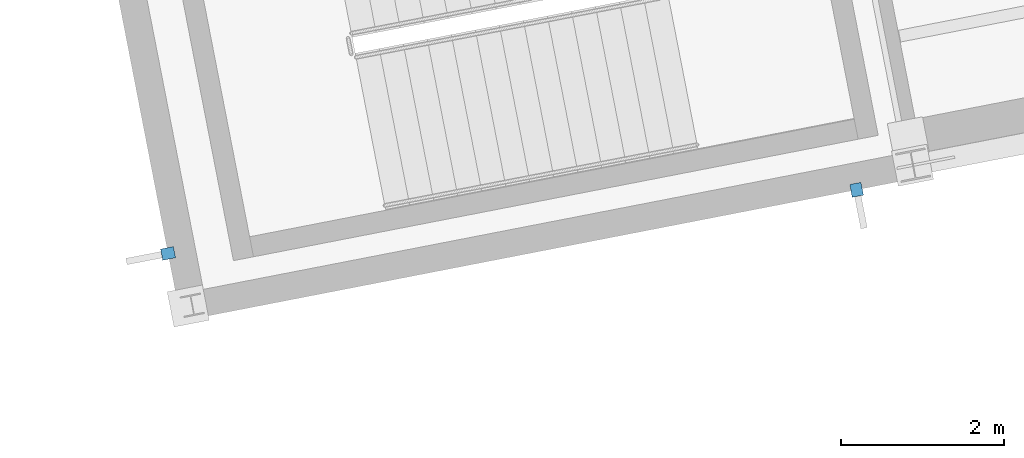
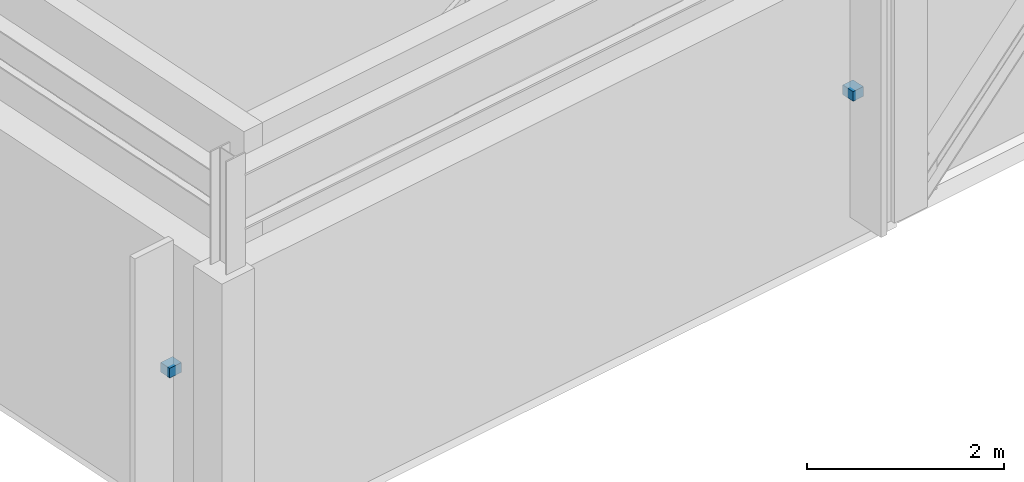
# One storey, part 97 of 109: 2 discrete accessories.
"""IFC4 building model written with IfcOpenShell, lengths in metres."""

import ifcopenshell
import ifcopenshell.guid

model = None  # the IFC model being written
_history = None  # IfcOwnerHistory: only IFC2X3 demands one
_inside = {}  # id of a spatial element -> (the spatial element, [elements in it])
_under = {}  # id of a project, library or spatial element -> (it, [spatial elements below it])
_declared = {}  # id of a project -> (the project, [libraries it declares])
_typed = {}  # id of a type object -> (the type object, [elements of that type])
_made_of = {}  # id of a material, layer set ... -> (it, [elements and type objects made of it])


def new_model(schema):
    """Start an empty IFC model of exactly this schema.

    Asked for "IFC4X3", IfcOpenShell would pick the latest addendum, in which some entities
    have other attributes; the version numbers below select the first issue.
    IFC2X3 requires an IfcOwnerHistory on every rooted entity: one is made here for all.
    """
    global model, _history
    if schema == "IFC4X3":
        model = ifcopenshell.file(schema_version=(4, 3, 0, 0))
    else:
        model = ifcopenshell.file(schema=schema)
    _inside.clear()
    _under.clear()
    _declared.clear()
    _typed.clear()
    _made_of.clear()
    _history = None
    if model.schema == "IFC2X3":
        org = make("IfcOrganization", Name="unknown")
        user = make(
            "IfcPersonAndOrganization",
            ThePerson=make("IfcPerson", FamilyName="unknown"),
            TheOrganization=org,
        )
        app = make(
            "IfcApplication",
            ApplicationDeveloper=org,
            Version="unknown",
            ApplicationFullName="unknown",
            ApplicationIdentifier="unknown",
        )
        _history = make(
            "IfcOwnerHistory",
            OwningUser=user,
            OwningApplication=app,
            ChangeAction="ADDED",
            CreationDate=0,
        )
    return model


def make(cls, **values):
    """One entity of the class cls with the attributes given. An attribute that is None is left unset."""
    return model.create_entity(
        cls, **{name: value for name, value in values.items() if value is not None}
    )


def rooted(cls, **values):
    """An entity with a GlobalId (a new one), such as an element, a storey or a relation."""
    return make(cls, GlobalId=ifcopenshell.guid.new(), OwnerHistory=_history, **values)


def si_unit(unit_type, name, prefix=None):
    """IfcSIUnit, for example si_unit("LENGTHUNIT", "METRE", prefix="MILLI")."""
    return make("IfcSIUnit", UnitType=unit_type, Prefix=prefix, Name=name)


def assignment(units):
    """IfcUnitAssignment: the units of a project."""
    return None if units is None else make("IfcUnitAssignment", Units=units)


def point(xyz):
    """IfcCartesianPoint."""
    return None if xyz is None else make("IfcCartesianPoint", Coordinates=xyz)


def direction(xyz):
    """IfcDirection."""
    return None if xyz is None else make("IfcDirection", DirectionRatios=xyz)


def frame(location, z_axis=None, x_axis=None):
    """IfcAxis2Placement3D, a coordinate frame: its origin and axes. An axis left out is left unset."""
    return make(
        "IfcAxis2Placement3D",
        Location=point(location),
        Axis=direction(z_axis),
        RefDirection=direction(x_axis),
    )


def frame_2d(location, x_axis=None):
    """IfcAxis2Placement2D, a coordinate frame in the plane: its origin and x axis."""
    return make(
        "IfcAxis2Placement2D", Location=point(location), RefDirection=direction(x_axis)
    )


def origin():
    """The frame at (0, 0, 0) with its axes left unset."""
    return frame((0.0, 0.0, 0.0))


def origin_2d():
    """The frame at (0, 0) in the plane with its x axis left unset."""
    return frame_2d((0.0, 0.0))


def place(relative_to, where):
    """IfcLocalPlacement: puts the frame where relative to a parent placement (None: the world)."""
    return make(
        "IfcLocalPlacement", PlacementRelTo=relative_to, RelativePlacement=where
    )


def context(
    kind, dimensions, precision=None, world=None, true_north=None, identifier=None
):
    """IfcGeometricRepresentationContext, for example the 3D "Model" context."""
    return make(
        "IfcGeometricRepresentationContext",
        ContextIdentifier=identifier,
        ContextType=kind,
        CoordinateSpaceDimension=dimensions,
        Precision=precision,
        WorldCoordinateSystem=world,
        TrueNorth=true_north,
    )


def subcontext(parent, identifier, kind, view, scale=None):
    """IfcGeometricRepresentationSubContext, for example "Body" below "Model"."""
    return make(
        "IfcGeometricRepresentationSubContext",
        ContextIdentifier=identifier,
        ContextType=kind,
        ParentContext=parent,
        TargetScale=scale,
        TargetView=view,
    )


def project(units=None, contexts=None):
    """IfcProject with its units and contexts."""
    return rooted(
        "IfcProject",
        Name="project",
        RepresentationContexts=contexts,
        UnitsInContext=assignment(units),
    )


def spatial(cls, under=None, at=None, **own):
    """A site, building, storey or space (cls), placed at a placement, below another one or the project."""
    s = rooted(cls, ObjectPlacement=at, **own)
    if under is not None:
        _under.setdefault(under.id(), (under, []))[1].append(s)
    return s


def profile(cls, at=None, kind="AREA", **sizes):
    """A parametric profile (cls). Its sizes go by their IFC names, for example OverallWidth=200.0."""
    return make(cls, ProfileType=kind, Position=at, **sizes)


def rectangle(**sizes):
    """IfcRectangleProfileDef."""
    return profile("IfcRectangleProfileDef", **sizes)


def extrude(swept, where, along, depth):
    """IfcExtrudedAreaSolid: the profile swept, set in the frame where, extruded along a direction by depth."""
    return make(
        "IfcExtrudedAreaSolid",
        SweptArea=swept,
        Position=where,
        ExtrudedDirection=direction(along),
        Depth=depth,
    )


def shape(context_of_items, identifier, shape_type, items):
    """IfcShapeRepresentation: the items that make up one representation, for example the "Body"."""
    return make(
        "IfcShapeRepresentation",
        ContextOfItems=context_of_items,
        RepresentationIdentifier=identifier,
        RepresentationType=shape_type,
        Items=items,
    )


def material(Name=None, Category=None):
    """IfcMaterial."""
    return make("IfcMaterial", Name=Name, Category=Category)


def made_of(thing, what):
    """Note that an element or type object is made of a material, layer set ...; save() writes the relation."""
    if what is not None:
        _made_of.setdefault(what.id(), (what, []))[1].append(thing)
    return thing


def type_object(cls, material=None, **own):
    """A type object (cls), such as IfcWallType, which elements share."""
    return made_of(rooted(cls, **own), material)


def element(
    cls,
    number,
    at=None,
    inside=None,
    cuts=None,
    type_object=None,
    material=None,
    context=None,
    identifier="Body",
    shape_type=None,
    held_by="IfcProductDefinitionShape",
    body=None,
    shapes=None,
    **own,
):
    """One element of the class cls, such as IfcWall. Its Tag is "e" and its number.

    at: its placement. inside: the storey or other place that contains it. cuts: it is an
    opening in that element (IfcRelVoidsElement). A single representation is given by context,
    identifier, shape_type and body (its items); several are given by shapes. held_by: the class
    of the entity that holds the representations. save() writes the other relations.
    """
    e = rooted(cls, Tag="e%d" % number, ObjectPlacement=at, **own)
    if body is not None:
        shapes = [shape(context, identifier, shape_type, body)]
    if shapes is not None:
        e.Representation = make(held_by, Representations=shapes)
    if inside is not None:
        _inside.setdefault(inside.id(), (inside, []))[1].append(e)
    if cuts is not None:
        rooted(
            "IfcRelVoidsElement", RelatingBuildingElement=cuts, RelatedOpeningElement=e
        )
    if type_object is not None:
        _typed.setdefault(type_object.id(), (type_object, []))[1].append(e)
    return made_of(e, material)


def aggregate(whole, parts):
    """IfcRelAggregates: a whole, such as a stair, and the parts it consists of."""
    return rooted("IfcRelAggregates", RelatingObject=whole, RelatedObjects=parts)


def save(model, path):
    """Write the relations noted so far, then the file.

    IfcRelAggregates (storeys below a building ...), IfcRelContainedInSpatialStructure (elements
    in a storey), IfcRelDefinesByType, IfcRelAssociatesMaterial and IfcRelDeclares: one each for
    every whole, place, type object, material and project.
    """
    for whole, parts in _under.values():
        aggregate(whole, parts)
    for where, things in _inside.values():
        rooted(
            "IfcRelContainedInSpatialStructure",
            RelatedElements=things,
            RelatingStructure=where,
        )
    for kind, things in _typed.values():
        rooted("IfcRelDefinesByType", RelatedObjects=things, RelatingType=kind)
    for what, things in _made_of.values():
        rooted("IfcRelAssociatesMaterial", RelatedObjects=things, RelatingMaterial=what)
    for by, libraries in _declared.values():
        rooted("IfcRelDeclares", RelatingContext=by, RelatedDefinitions=libraries)
    model.write(path)


model = new_model("IFC4")

# Units and contexts
model_context = context("Model", 3, precision=1e-05, world=origin(), true_north=direction((0.0, 1.0)))
body_context = subcontext(model_context, "Body", "Model", "MODEL_VIEW")
ifc_project = project(units=[si_unit("LENGTHUNIT", "METRE"), si_unit("AREAUNIT", "SQUARE_METRE"), si_unit("VOLUMEUNIT", "CUBIC_METRE"), si_unit("PLANEANGLEUNIT", "RADIAN"), si_unit("MASSUNIT", "GRAM", prefix="KILO")], contexts=[model_context])

# Site, building, storey
site_placement = place(None, origin())
site = spatial("IfcSite", under=ifc_project, at=site_placement, CompositionType="ELEMENT")
building_placement = place(site_placement, origin())
building = spatial("IfcBuilding", under=site, at=building_placement, Name="Vireo Bluff Cable Station", CompositionType="ELEMENT")
storey_placement = place(building_placement, frame((0.0, 0.0, 4.800048828125)))
storey = spatial("IfcBuildingStorey", under=building, at=storey_placement, Name="L01", CompositionType="ELEMENT", Elevation=4.800048828125)

# Discrete accessories
ifc_material = material(Name="Stainless Steel 316", Category="steel")
discrete_accessory_type = type_object("IfcDiscreteAccessoryType", Name="FACADE-BRACKET-01", PredefinedType="BRACKET", material=ifc_material)
for number, where, z_axis, x_axis, name in (
    (1, (17.642578125, 6.914794921875, 1.789794921875), (0.0, 0.0, 1.0), (-0.981627178822, -0.190809019174, 0.0), "V5 L01 solar fin bracket 34"),
    (2, (9.203369140625, 6.135009765625, 1.789794921875), (0.0, 0.0, 1.0), (-0.19080900163, 0.981627182232, 0.0), "V5 L01 solar fin bracket 35"),
):
    element("IfcDiscreteAccessory", number, at=place(storey_placement, frame(where, z_axis=z_axis, x_axis=x_axis)), inside=storey, type_object=discrete_accessory_type, Name=name, PredefinedType="BRACKET", context=body_context, shape_type="SweptSolid", body=[
        extrude(rectangle(XDim=0.139892578125, YDim=0.159912109375, at=origin_2d()), origin(), (0.0, 0.0, 1.0), 0.1201171875),
    ])

save(model, "model.ifc")
